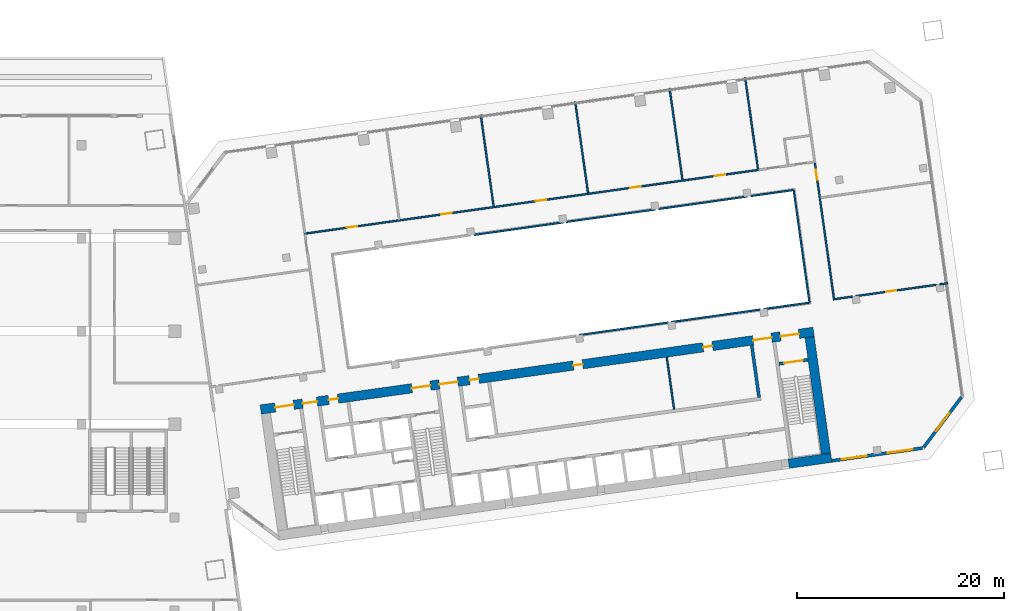
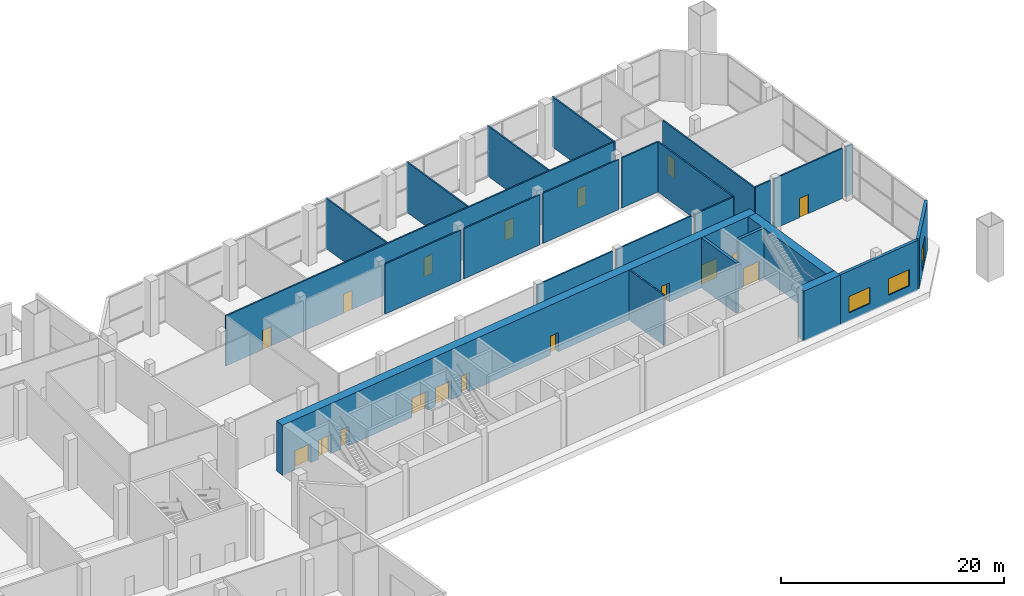
# One storey, part 18 of 24: 25 walls, 18 doors, 3 windows, 21 openings.
"""IFC4 building model written with IfcOpenShell, lengths in metres."""

from ifc_helpers import new_model, si_unit, direction, frame, frame_2d, origin, place, context, subcontext, project, spatial, rectangle, extrude, material, layer, layer_set, type_object, element, fill, save


model = new_model("IFC4")

# Units and contexts
model_context = context("Model", 3, precision=1e-05, world=origin(), true_north=direction((0.0, 1.0)))
body_context = subcontext(model_context, "Body", "Model", "MODEL_VIEW")
ifc_project = project(units=[si_unit("LENGTHUNIT", "METRE"), si_unit("AREAUNIT", "SQUARE_METRE"), si_unit("VOLUMEUNIT", "CUBIC_METRE"), si_unit("PLANEANGLEUNIT", "RADIAN"), si_unit("MASSUNIT", "GRAM", prefix="KILO")], contexts=[model_context])

# Site, building, storey
site_placement = place(None, origin())
site = spatial("IfcSite", under=ifc_project, at=site_placement, CompositionType="ELEMENT")
building_placement = place(site_placement, origin())
building = spatial("IfcBuilding", under=site, at=building_placement, Name="Mirante Cascada Hotel Towers", CompositionType="ELEMENT")
storey_placement = place(building_placement, frame((0.0, 0.0, 17.5)))
storey = spatial("IfcBuildingStorey", under=building, at=storey_placement, Name="L02", CompositionType="ELEMENT", Elevation=17.5)

# Walls
ifc_material_1 = material(Name="Masonry block", Category="masonry")
ifc_layer_1 = layer(ifc_material_1, 0.15)
ifc_layer_set_1 = layer_set([ifc_layer_1], Name="Core room partition 150 block EI 30")
wall_type_1 = type_object("IfcWallType", Name="Core room partition 150 block EI 30", PredefinedType="PARTITIONING", material=ifc_layer_set_1)
wall_1_placement = place(storey_placement, frame((75.3131, -7.5476, 0.0), z_axis=(0.0, 0.0, 1.0), x_axis=(-0.1391782, 0.9902673, 0.0)))
element("IfcWall", 1, at=wall_1_placement, inside=storey, type_object=wall_type_1, Name="Core wall partition T2 L02 5", PredefinedType="PARTITIONING", context=body_context, shape_type="SweptSolid", body=[
    extrude(rectangle(XDim=5.0999, YDim=0.15, at=frame_2d((2.55, 0.0))), origin(), (0.0, 0.0, 1.0), 5.5),
])
ifc_material_2 = material(Name="Masonry block", Category="masonry")
ifc_layer_2 = layer(ifc_material_2, 0.15)
ifc_layer_set_2 = layer_set([ifc_layer_2], Name="Corridor wall 150 block")
wall_type_2 = type_object("IfcWallType", Name="Corridor wall 150 block", PredefinedType="PARTITIONING", material=ifc_layer_set_2)
wall_2_placement = place(storey_placement, frame((86.8771, 13.638, 0.0), z_axis=(0.0, 0.0, 1.0), x_axis=(0.1391764, -0.9902676, 0.0)))
element("IfcWall", 2, at=wall_2_placement, inside=storey, type_object=wall_type_2, Name="Corridor wall T2 L02", PredefinedType="PARTITIONING", context=body_context, shape_type="SweptSolid", body=[
    extrude(rectangle(XDim=10.9401, YDim=0.15, at=frame_2d((5.47, 0.0))), origin(), (0.0, 0.0, 1.0), 5.5),
])

# Wall, opening, door
wall_3_placement = place(storey_placement, frame((88.926, 16.3041, 0.0), z_axis=(0.0, 0.0, 1.0), x_axis=(0.1391789, -0.9902673, 0.0)))
wall_3 = element("IfcWall", 3, at=wall_3_placement, inside=storey, type_object=wall_type_2, Name="Corridor wall T2 L02", PredefinedType="PARTITIONING", context=body_context, shape_type="SweptSolid", body=[
    extrude(rectangle(XDim=13.4, YDim=0.15, at=frame_2d((6.7, 0.0))), origin(), (0.0, 0.0, 1.0), 5.5),
])
opening_1_placement = place(wall_3_placement, frame((0.6675, 0.0, 0.0)))
opening_1 = element("IfcOpeningElement", 4, at=opening_1_placement, cuts=wall_3, Name="Opening DP2-L02-04", PredefinedType="OPENING", context=body_context, shape_type="SweptSolid", body=[
    extrude(rectangle(XDim=1.0, YDim=2.1, at=frame_2d((0.5, 1.05))), frame((0.0, 0.075, 0.0), z_axis=(0.0, -1.0, 0.0), x_axis=(1.0, 0.0, 0.0)), (0.0, 0.0, 1.0), 0.15),
])
ifc_material_3 = material(Name="Timber door leaf", Category="wood")
door_type_1 = type_object("IfcDoorType", Name="Single door 1000x2100", OperationType="NOTDEFINED", PredefinedType="DOOR", material=ifc_material_3)
door_1_placement = place(opening_1_placement, origin())
door_1 = element("IfcDoor", 5, at=door_1_placement, inside=storey, type_object=door_type_1, Name="Door DP2-L02-04", OperationType="SINGLE_SWING_RIGHT", OverallHeight=2.1, OverallWidth=1.0, PredefinedType="DOOR", context=body_context, shape_type="SweptSolid", body=[
    extrude(rectangle(XDim=1.0, YDim=2.1, at=frame_2d((0.5, 1.05))), frame((0.0, 0.025, 0.0), z_axis=(0.0, -1.0, 0.0), x_axis=(1.0, 0.0, 0.0)), (0.0, 0.0, 1.0), 0.05),
])
fill(opening_1, door_1)

# Wall
wall_4_placement = place(storey_placement, frame((90.8449, 3.1178, 0.0), z_axis=(0.0, 0.0, 1.0), x_axis=(0.9902659, 0.1391884, 0.0)))
element("IfcWall", 6, at=wall_4_placement, inside=storey, type_object=wall_type_2, Name="Corridor wall T2 L02", PredefinedType="PARTITIONING", context=body_context, shape_type="SweptSolid", body=[
    extrude(rectangle(XDim=1.7307, YDim=0.15, at=frame_2d((0.8654, 0.0))), origin(), (0.0, 0.0, 1.0), 5.5),
])

# Wall, openings, doors
wall_5_placement = place(storey_placement, frame((39.526, 9.4371, 0.0), z_axis=(0.0, 0.0, 1.0), x_axis=(0.9902681, 0.1391729, 0.0)))
wall_5 = element("IfcWall", 7, at=wall_5_placement, inside=storey, type_object=wall_type_2, Name="Corridor wall T2 L02", PredefinedType="PARTITIONING", context=body_context, shape_type="SweptSolid", body=[
    extrude(rectangle(XDim=44.2766, YDim=0.15, at=frame_2d((22.1383, 0.0))), origin(), (0.0, 0.0, 1.0), 5.5),
])
opening_2_placement = place(wall_5_placement, frame((4.1861, 0.0, 0.0)))
opening_2 = element("IfcOpeningElement", 8, at=opening_2_placement, cuts=wall_5, Name="Opening DP2-L02-05", PredefinedType="OPENING", context=body_context, shape_type="SweptSolid", body=[
    extrude(rectangle(XDim=1.0, YDim=2.1, at=frame_2d((0.5, 1.05))), frame((0.0, 0.075, 0.0), z_axis=(0.0, -1.0, 0.0), x_axis=(1.0, 0.0, 0.0)), (0.0, 0.0, 1.0), 0.15),
])
opening_3_placement = place(wall_5_placement, frame((13.4083, 0.0, 0.0)))
opening_3 = element("IfcOpeningElement", 9, at=opening_3_placement, cuts=wall_5, Name="Opening DP2-L02-06", PredefinedType="OPENING", context=body_context, shape_type="SweptSolid", body=[
    extrude(rectangle(XDim=1.0, YDim=2.1, at=frame_2d((0.5, 1.05))), frame((0.0, 0.075, 0.0), z_axis=(0.0, -1.0, 0.0), x_axis=(1.0, 0.0, 0.0)), (0.0, 0.0, 1.0), 0.15),
])
opening_4_placement = place(wall_5_placement, frame((22.6305, 0.0, 0.0)))
opening_4 = element("IfcOpeningElement", 10, at=opening_4_placement, cuts=wall_5, Name="Opening DP2-L02-07", PredefinedType="OPENING", context=body_context, shape_type="SweptSolid", body=[
    extrude(rectangle(XDim=1.0, YDim=2.1, at=frame_2d((0.5, 1.05))), frame((0.0, 0.075, 0.0), z_axis=(0.0, -1.0, 0.0), x_axis=(1.0, 0.0, 0.0)), (0.0, 0.0, 1.0), 0.15),
])
opening_5_placement = place(wall_5_placement, frame((31.8527, 0.0, 0.0)))
opening_5 = element("IfcOpeningElement", 11, at=opening_5_placement, cuts=wall_5, Name="Opening DP2-L02-08", PredefinedType="OPENING", context=body_context, shape_type="SweptSolid", body=[
    extrude(rectangle(XDim=1.0, YDim=2.1, at=frame_2d((0.5, 1.05))), frame((0.0, 0.075, 0.0), z_axis=(0.0, -1.0, 0.0), x_axis=(1.0, 0.0, 0.0)), (0.0, 0.0, 1.0), 0.15),
])
opening_6_placement = place(wall_5_placement, frame((40.1202, 0.0, 0.0)))
opening_6 = element("IfcOpeningElement", 12, at=opening_6_placement, cuts=wall_5, Name="Opening DP2-L02-09", PredefinedType="OPENING", context=body_context, shape_type="SweptSolid", body=[
    extrude(rectangle(XDim=1.0, YDim=2.1, at=frame_2d((0.5, 1.05))), frame((0.0, 0.075, 0.0), z_axis=(0.0, -1.0, 0.0), x_axis=(1.0, 0.0, 0.0)), (0.0, 0.0, 1.0), 0.15),
])
door_2_placement = place(opening_2_placement, frame((1.0, 0.0, 0.0), z_axis=(0.0, 0.0, 1.0), x_axis=(-1.0, 0.0, 0.0)))
door_2 = element("IfcDoor", 13, at=door_2_placement, inside=storey, type_object=door_type_1, Name="Door DP2-L02-05", OperationType="SINGLE_SWING_LEFT", OverallHeight=2.1, OverallWidth=1.0, PredefinedType="DOOR", context=body_context, shape_type="SweptSolid", body=[
    extrude(rectangle(XDim=1.0, YDim=2.1, at=frame_2d((0.5, 1.05))), frame((0.0, 0.025, 0.0), z_axis=(0.0, -1.0, 0.0), x_axis=(1.0, 0.0, 0.0)), (0.0, 0.0, 1.0), 0.05),
])
fill(opening_2, door_2)
door_3_placement = place(opening_3_placement, origin())
door_3 = element("IfcDoor", 14, at=door_3_placement, inside=storey, type_object=door_type_1, Name="Door DP2-L02-06", OperationType="SINGLE_SWING_RIGHT", OverallHeight=2.1, OverallWidth=1.0, PredefinedType="DOOR", context=body_context, shape_type="SweptSolid", body=[
    extrude(rectangle(XDim=1.0, YDim=2.1, at=frame_2d((0.5, 1.05))), frame((0.0, 0.025, 0.0), z_axis=(0.0, -1.0, 0.0), x_axis=(1.0, 0.0, 0.0)), (0.0, 0.0, 1.0), 0.05),
])
fill(opening_3, door_3)
door_4_placement = place(opening_4_placement, origin())
door_4 = element("IfcDoor", 15, at=door_4_placement, inside=storey, type_object=door_type_1, Name="Door DP2-L02-07", OperationType="SINGLE_SWING_LEFT", OverallHeight=2.1, OverallWidth=1.0, PredefinedType="DOOR", context=body_context, shape_type="SweptSolid", body=[
    extrude(rectangle(XDim=1.0, YDim=2.1, at=frame_2d((0.5, 1.05))), frame((0.0, 0.025, 0.0), z_axis=(0.0, -1.0, 0.0), x_axis=(1.0, 0.0, 0.0)), (0.0, 0.0, 1.0), 0.05),
])
fill(opening_4, door_4)
door_5_placement = place(opening_5_placement, frame((1.0, 0.0, 0.0), z_axis=(0.0, 0.0, 1.0), x_axis=(-1.0, 0.0, 0.0)))
door_5 = element("IfcDoor", 16, at=door_5_placement, inside=storey, type_object=door_type_1, Name="Door DP2-L02-08", OperationType="SINGLE_SWING_RIGHT", OverallHeight=2.1, OverallWidth=1.0, PredefinedType="DOOR", context=body_context, shape_type="SweptSolid", body=[
    extrude(rectangle(XDim=1.0, YDim=2.1, at=frame_2d((0.5, 1.05))), frame((0.0, 0.025, 0.0), z_axis=(0.0, -1.0, 0.0), x_axis=(1.0, 0.0, 0.0)), (0.0, 0.0, 1.0), 0.05),
])
fill(opening_5, door_5)
door_6_placement = place(opening_6_placement, origin())
door_6 = element("IfcDoor", 17, at=door_6_placement, inside=storey, type_object=door_type_1, Name="Door DP2-L02-09", OperationType="SINGLE_SWING_LEFT", OverallHeight=2.1, OverallWidth=1.0, PredefinedType="DOOR", context=body_context, shape_type="SweptSolid", body=[
    extrude(rectangle(XDim=1.0, YDim=2.1, at=frame_2d((0.5, 1.05))), frame((0.0, 0.025, 0.0), z_axis=(0.0, -1.0, 0.0), x_axis=(1.0, 0.0, 0.0)), (0.0, 0.0, 1.0), 0.05),
])
fill(opening_6, door_6)

# Walls
for number, where, z_axis, x_axis, name in (
    (18, (66.1471, -0.3533, 0.0), (0.0, 0.0, 1.0), (0.9902682, 0.139172, 0.0), "Corridor wall T2 L02"),
    (19, (75.0595, 0.8993, 0.0), (0.0, 0.0, 1.0), (0.9902682, 0.139172, 0.0), "Corridor wall T2 L02"),
):
    element("IfcWall", number, at=place(storey_placement, frame(where, z_axis=z_axis, x_axis=x_axis)), inside=storey, type_object=wall_type_2, Name=name, PredefinedType="PARTITIONING", context=body_context, shape_type="SweptSolid", body=[
        extrude(rectangle(XDim=8.6713, YDim=0.15, at=frame_2d((4.3356, 0.0))), origin(), (0.0, 0.0, 1.0), 5.5),
    ])
wall_6_placement = place(storey_placement, frame((83.9719, 2.1518, 0.0), z_axis=(0.0, 0.0, 1.0), x_axis=(0.9902682, 0.1391725, 0.0)))
element("IfcWall", 20, at=wall_6_placement, inside=storey, type_object=wall_type_2, Name="Corridor wall T2 L02", PredefinedType="PARTITIONING", context=body_context, shape_type="SweptSolid", body=[
    extrude(rectangle(XDim=4.4456, YDim=0.15, at=frame_2d((2.2228, 0.0))), origin(), (0.0, 0.0, 1.0), 5.5),
])

# Wall, opening, door
wall_7_placement = place(storey_placement, frame((92.8842, 3.4044, 0.0), z_axis=(0.0, 0.0, 1.0), x_axis=(0.9902679, 0.1391746, 0.0)))
wall_7 = element("IfcWall", 21, at=wall_7_placement, inside=storey, type_object=wall_type_2, Name="Corridor wall T2 L02", PredefinedType="PARTITIONING", context=body_context, shape_type="SweptSolid", body=[
    extrude(rectangle(XDim=7.8714, YDim=0.15, at=frame_2d((3.9357, 0.0))), origin(), (0.0, 0.0, 1.0), 5.5),
])
opening_7_placement = place(wall_7_placement, frame((2.9582, 0.0, 0.0)))
opening_7 = element("IfcOpeningElement", 22, at=opening_7_placement, cuts=wall_7, Name="Opening DP2-L02-03", PredefinedType="OPENING", context=body_context, shape_type="SweptSolid", body=[
    extrude(rectangle(XDim=1.0, YDim=2.1, at=frame_2d((0.5, 1.05))), frame((0.0, 0.075, 0.0), z_axis=(0.0, -1.0, 0.0), x_axis=(1.0, 0.0, 0.0)), (0.0, 0.0, 1.0), 0.15),
])
door_7_placement = place(opening_7_placement, frame((1.0, 0.0, 0.0), z_axis=(0.0, 0.0, 1.0), x_axis=(-1.0, 0.0, 0.0)))
door_7 = element("IfcDoor", 23, at=door_7_placement, inside=storey, type_object=door_type_1, Name="Door DP2-L02-03", OperationType="SINGLE_SWING_LEFT", OverallHeight=2.1, OverallWidth=1.0, PredefinedType="DOOR", context=body_context, shape_type="SweptSolid", body=[
    extrude(rectangle(XDim=1.0, YDim=2.1, at=frame_2d((0.5, 1.05))), frame((0.0, 0.025, 0.0), z_axis=(0.0, -1.0, 0.0), x_axis=(1.0, 0.0, 0.0)), (0.0, 0.0, 1.0), 0.05),
])
fill(opening_7, door_7)

# Walls
wall_8_placement = place(storey_placement, frame((101.0045, 4.5456, 0.0), z_axis=(0.0, 0.0, 1.0), x_axis=(0.9902566, 0.1392548, 0.0)))
element("IfcWall", 24, at=wall_8_placement, inside=storey, type_object=wall_type_2, Name="Corridor wall T2 L02", PredefinedType="PARTITIONING", context=body_context, shape_type="SweptSolid", body=[
    extrude(rectangle(XDim=0.7756, YDim=0.15, at=frame_2d((0.3878, 0.0))), origin(), (0.0, 0.0, 1.0), 5.5),
])
for number, where, z_axis, x_axis, name in (
    (25, (55.9808, 9.3261, 0.0), (0.0, 0.0, 1.0), (0.9902682, 0.139172, 0.0), "Corridor wall T2 L02"),
    (26, (64.8932, 10.5786, 0.0), (0.0, 0.0, 1.0), (0.9902682, 0.139172, 0.0), "Corridor wall T2 L02"),
    (27, (73.8056, 11.8312, 0.0), (0.0, 0.0, 1.0), (0.9902682, 0.139172, 0.0), "Corridor wall T2 L02"),
):
    element("IfcWall", number, at=place(storey_placement, frame(where, z_axis=z_axis, x_axis=x_axis)), inside=storey, type_object=wall_type_2, Name=name, PredefinedType="PARTITIONING", context=body_context, shape_type="SweptSolid", body=[
        extrude(rectangle(XDim=8.6713, YDim=0.15, at=frame_2d((4.3356, 0.0))), origin(), (0.0, 0.0, 1.0), 5.5),
    ])
wall_9_placement = place(storey_placement, frame((82.718, 13.0837, 0.0), z_axis=(0.0, 0.0, 1.0), x_axis=(0.9902672, 0.1391794, 0.0)))
element("IfcWall", 28, at=wall_9_placement, inside=storey, type_object=wall_type_2, Name="Corridor wall T2 L02", PredefinedType="PARTITIONING", context=body_context, shape_type="SweptSolid", body=[
    extrude(rectangle(XDim=4.1658, YDim=0.15, at=frame_2d((2.0829, 0.0))), origin(), (0.0, 0.0, 1.0), 5.5),
])
ifc_material_4 = material(Name="Masonry block", Category="masonry")
ifc_layer_3 = layer(ifc_material_4, 0.15)
ifc_layer_set_3 = layer_set([ifc_layer_3], Name="Partition 150 block")
wall_type_3 = type_object("IfcWallType", Name="Partition 150 block", PredefinedType="PARTITIONING", material=ifc_layer_set_3)
for number, where, z_axis, x_axis, name in (
    (29, (56.6126, 20.9269, 0.0), (0.0, 0.0, 1.0), (0.139181, -0.990267, 0.0), "Partition T2 L02"),
    (30, (65.7451, 22.2104, 0.0), (0.0, 0.0, 1.0), (0.13917, -0.9902685, 0.0), "Partition T2 L02"),
    (31, (74.8776, 23.4939, 0.0), (0.0, 0.0, 1.0), (0.13917, -0.9902685, 0.0), "Partition T2 L02"),
):
    element("IfcWall", number, at=place(storey_placement, frame(where, z_axis=z_axis, x_axis=x_axis)), inside=storey, type_object=wall_type_3, Name=name, PredefinedType="PARTITIONING", context=body_context, shape_type="SweptSolid", body=[
        extrude(rectangle(XDim=8.9251, YDim=0.15, at=frame_2d((4.4626, 0.0))), origin(), (0.0, 0.0, 1.0), 5.5),
    ])

# Wall, openings, windows
ifc_material_5 = material(Name="Precast concrete C40/50", Category="concrete")
ifc_layer_4 = layer(ifc_material_5, 0.3)
ifc_layer_set_4 = layer_set([ifc_layer_4], Name="Precast concrete C40/50 cladding wall 300")
wall_type_4 = type_object("IfcWallType", Name="Precast concrete C40/50 cladding wall 300", PredefinedType="STANDARD", material=ifc_layer_set_4)
wall_10_placement = place(storey_placement, frame((90.5541, -12.5249, 0.0), z_axis=(0.0, 0.0, 1.0), x_axis=(0.9902676, 0.1391765, 0.0)))
wall_10 = element("IfcWall", 32, at=wall_10_placement, inside=storey, type_object=wall_type_4, Name="Rear cladding wall T2 L02 1", PredefinedType="STANDARD", context=body_context, shape_type="SweptSolid", body=[
    extrude(rectangle(XDim=8.8758, YDim=0.3, at=frame_2d((4.4379, 0.0))), origin(), (0.0, 0.0, 1.0), 5.5),
])
opening_8_placement = place(wall_10_placement, frame((1.0012, 0.0, 0.9)))
opening_8 = element("IfcOpeningElement", 33, at=opening_8_placement, cuts=wall_10, Name="Opening W2-02-01", PredefinedType="OPENING", context=body_context, shape_type="SweptSolid", body=[
    extrude(rectangle(XDim=2.4, YDim=1.8, at=frame_2d((1.2, 0.9))), frame((0.0, 0.15, 0.0), z_axis=(0.0, -1.0, 0.0), x_axis=(1.0, 0.0, 0.0)), (0.0, 0.0, 1.0), 0.3),
])
opening_9_placement = place(wall_10_placement, frame((5.4923, 0.0, 0.9)))
opening_9 = element("IfcOpeningElement", 34, at=opening_9_placement, cuts=wall_10, Name="Opening W2-02-02", PredefinedType="OPENING", context=body_context, shape_type="SweptSolid", body=[
    extrude(rectangle(XDim=2.4, YDim=1.8, at=frame_2d((1.2, 0.9))), frame((0.0, 0.15, 0.0), z_axis=(0.0, -1.0, 0.0), x_axis=(1.0, 0.0, 0.0)), (0.0, 0.0, 1.0), 0.3),
])
ifc_material_6 = material(Name="Aluminium frame with clear double glazing", Category="aluminium")
window_type_1 = type_object("IfcWindowType", Name="Punched window 2400x1800", PartitioningType="DOUBLE_PANEL_VERTICAL", PredefinedType="WINDOW", material=ifc_material_6)
window_1_placement = place(opening_8_placement, origin())
window_1 = element("IfcWindow", 35, at=window_1_placement, inside=storey, type_object=window_type_1, Name="Window W2-02-01", OverallHeight=1.8, OverallWidth=2.4, PartitioningType="SINGLE_PANEL", PredefinedType="WINDOW", context=body_context, shape_type="SweptSolid", body=[
    extrude(rectangle(XDim=2.4, YDim=1.8, at=frame_2d((1.2, 0.9))), frame((0.0, 0.03, 0.0), z_axis=(0.0, -1.0, 0.0), x_axis=(1.0, 0.0, 0.0)), (0.0, 0.0, 1.0), 0.06),
])
fill(opening_8, window_1)
window_2_placement = place(opening_9_placement, origin())
window_2 = element("IfcWindow", 36, at=window_2_placement, inside=storey, type_object=window_type_1, Name="Window W2-02-02", OverallHeight=1.8, OverallWidth=2.4, PartitioningType="SINGLE_PANEL", PredefinedType="WINDOW", context=body_context, shape_type="SweptSolid", body=[
    extrude(rectangle(XDim=2.4, YDim=1.8, at=frame_2d((1.2, 0.9))), frame((0.0, 0.03, 0.0), z_axis=(0.0, -1.0, 0.0), x_axis=(1.0, 0.0, 0.0)), (0.0, 0.0, 1.0), 0.06),
])
fill(opening_9, window_2)

# Wall, opening, window
wall_11_placement = place(storey_placement, frame((99.4424, -11.2313, 0.0), z_axis=(0.0, 0.0, 1.0), x_axis=(0.6018194, 0.7986322, 0.0)))
wall_11 = element("IfcWall", 37, at=wall_11_placement, inside=storey, type_object=wall_type_4, Name="Corner cladding wall T2 L02 rear outer", PredefinedType="STANDARD", context=body_context, shape_type="SweptSolid", body=[
    extrude(rectangle(XDim=6.1155, YDim=0.3, at=frame_2d((3.0578, 0.0))), origin(), (0.0, 0.0, 1.0), 5.5),
])
opening_10_placement = place(wall_11_placement, frame((1.9576, 0.0, 0.6)))
opening_10 = element("IfcOpeningElement", 38, at=opening_10_placement, cuts=wall_11, Name="Opening W2-02-03", PredefinedType="OPENING", context=body_context, shape_type="SweptSolid", body=[
    extrude(rectangle(XDim=2.2, YDim=2.4, at=frame_2d((1.1, 1.2))), frame((0.0, 0.15, 0.0), z_axis=(0.0, -1.0, 0.0), x_axis=(1.0, 0.0, 0.0)), (0.0, 0.0, 1.0), 0.3),
])
ifc_material_7 = material(Name="Aluminium frame with clear double glazing", Category="aluminium")
window_type_2 = type_object("IfcWindowType", Name="Corner suite window 2200x2400", PartitioningType="DOUBLE_PANEL_VERTICAL", PredefinedType="WINDOW", material=ifc_material_7)
window_3_placement = place(opening_10_placement, origin())
window_3 = element("IfcWindow", 39, at=window_3_placement, inside=storey, type_object=window_type_2, Name="Window W2-02-03", OverallHeight=2.4, OverallWidth=2.2, PartitioningType="SINGLE_PANEL", PredefinedType="WINDOW", context=body_context, shape_type="SweptSolid", body=[
    extrude(rectangle(XDim=2.2, YDim=2.4, at=frame_2d((1.1, 1.2))), frame((0.0, 0.03, 0.0), z_axis=(0.0, -1.0, 0.0), x_axis=(1.0, 0.0, 0.0)), (0.0, 0.0, 1.0), 0.06),
])
fill(opening_10, window_3)

# Wall, opening, door
ifc_material_8 = material(Name="Concrete C50/60", Category="concrete")
ifc_layer_5 = layer(ifc_material_8, 0.3)
ifc_layer_set_5 = layer_set([ifc_layer_5], Name="RC core wall 300 C50/60")
wall_type_5 = type_object("IfcWallType", Name="RC core wall 300 C50/60", PredefinedType="SHEAR", material=ifc_layer_set_5)
wall_12_placement = place(storey_placement, frame((85.4489, -3.1441, 0.0), z_axis=(0.0, 0.0, 1.0), x_axis=(0.9902697, 0.1391613, 0.0)))
wall_12 = element("IfcWall", 40, at=wall_12_placement, inside=storey, type_object=wall_type_5, Name="Core wall T2:L02:11", PredefinedType="SHEAR", context=body_context, shape_type="SweptSolid", body=[
    extrude(rectangle(XDim=2.8499, YDim=0.3, at=frame_2d((1.425, 0.0))), origin(), (0.0, 0.0, 1.0), 5.5),
])
opening_11_placement = place(wall_12_placement, frame((0.525, 0.0, 0.0)))
opening_11 = element("IfcOpeningElement", 41, at=opening_11_placement, cuts=wall_12, Name="Opening D2-02-C20", PredefinedType="OPENING", context=body_context, shape_type="SweptSolid", body=[
    extrude(rectangle(XDim=1.8, YDim=2.1, at=frame_2d((0.9, 1.05))), frame((0.0, 0.15, 0.0), z_axis=(0.0, -1.0, 0.0), x_axis=(1.0, 0.0, 0.0)), (0.0, 0.0, 1.0), 0.3),
])
ifc_material_9 = material(Name="Hollow metal fire door leaf")
door_type_2 = type_object("IfcDoorType", Name="Double fire door 1800x2100 FD60", OperationType="DOUBLE_DOOR_SINGLE_SWING", PredefinedType="DOOR", material=ifc_material_9)
door_8_placement = place(opening_11_placement, frame((1.8, 0.0, 0.0), z_axis=(0.0, 0.0, 1.0), x_axis=(-1.0, 0.0, 0.0)))
door_8 = element("IfcDoor", 42, at=door_8_placement, inside=storey, type_object=door_type_2, Name="Stair door T2 L02 20", OperationType="DOUBLE_DOOR_SINGLE_SWING", OverallHeight=2.1, OverallWidth=1.8, PredefinedType="DOOR", context=body_context, shape_type="SweptSolid", body=[
    extrude(rectangle(XDim=0.895, YDim=2.1, at=frame_2d((0.4475, 1.05))), frame((0.0, 0.025, 0.0), z_axis=(0.0, -1.0, 0.0), x_axis=(1.0, 0.0, 0.0)), (0.0, 0.0, 1.0), 0.05),
    extrude(rectangle(XDim=0.895, YDim=2.1, at=frame_2d((1.3525, 1.05))), frame((0.0, 0.025, 0.0), z_axis=(0.0, -1.0, 0.0), x_axis=(1.0, 0.0, 0.0)), (0.0, 0.0, 1.0), 0.05),
])
fill(opening_11, door_8)

# Walls
wall_13_placement = place(storey_placement, frame((83.5323, -6.3925, 0.0), z_axis=(0.0, 0.0, 1.0), x_axis=(-0.1391755, 0.9902677, 0.0)))
element("IfcWall", 43, at=wall_13_placement, inside=storey, type_object=wall_type_5, Name="Core wall T2:L02:36", PredefinedType="SHEAR", context=body_context, shape_type="SweptSolid", body=[
    extrude(rectangle(XDim=5.1, YDim=0.3, at=frame_2d((2.55, 0.0))), origin(), (0.0, 0.0, 1.0), 5.5),
])
ifc_material_10 = material(Name="Concrete C50/60", Category="concrete")
ifc_layer_6 = layer(ifc_material_10, 0.9)
ifc_layer_set_6 = layer_set([ifc_layer_6], Name="RC core wall 900 C50/60")
wall_type_6 = type_object("IfcWallType", Name="RC core wall 900 C50/60", PredefinedType="SHEAR", material=ifc_layer_set_6)
wall_14_placement = place(storey_placement, frame((86.4027, -12.8054, 0.0), z_axis=(0.0, 0.0, 1.0), x_axis=(0.990267, 0.139181, 0.0)))
element("IfcWall", 44, at=wall_14_placement, inside=storey, type_object=wall_type_6, Name="Core wall T2:L02:1.7", PredefinedType="SHEAR", context=body_context, shape_type="SweptSolid", body=[
    extrude(rectangle(XDim=4.15, YDim=0.9, at=frame_2d((2.075, 0.0))), origin(), (0.0, 0.0, 1.0), 5.5),
])

# Wall, openings, doors
wall_15_placement = place(storey_placement, frame((35.326, -7.5629, 0.0), z_axis=(0.0, 0.0, 1.0), x_axis=(0.9902679, 0.139174, 0.0)))
wall_15 = element("IfcWall", 45, at=wall_15_placement, inside=storey, type_object=wall_type_6, Name="Core wall T2:L02:2", PredefinedType="SHEAR", context=body_context, shape_type="SweptSolid", body=[
    extrude(rectangle(XDim=54.0, YDim=0.9, at=frame_2d((27.0, 0.0))), origin(), (0.0, 0.0, 1.0), 5.5),
])
opening_12_placement = place(wall_15_placement, frame((1.425, 0.0, 0.0)))
opening_12 = element("IfcOpeningElement", 46, at=opening_12_placement, cuts=wall_15, Name="Opening D2-02-C17", PredefinedType="OPENING", context=body_context, shape_type="SweptSolid", body=[
    extrude(rectangle(XDim=1.8, YDim=2.1, at=frame_2d((0.9, 1.05))), frame((0.0, 0.45, 0.0), z_axis=(0.0, -1.0, 0.0), x_axis=(1.0, 0.0, 0.0)), (0.0, 0.0, 1.0), 0.9),
])
opening_13_placement = place(wall_15_placement, frame((14.775, 0.0, 0.0)))
opening_13 = element("IfcOpeningElement", 47, at=opening_13_placement, cuts=wall_15, Name="Opening D2-02-C19", PredefinedType="OPENING", context=body_context, shape_type="SweptSolid", body=[
    extrude(rectangle(XDim=1.8, YDim=2.1, at=frame_2d((0.9, 1.05))), frame((0.0, 0.45, 0.0), z_axis=(0.0, -1.0, 0.0), x_axis=(1.0, 0.0, 0.0)), (0.0, 0.0, 1.0), 0.9),
])
opening_14_placement = place(wall_15_placement, frame((50.775, 0.0, 0.0)))
opening_14 = element("IfcOpeningElement", 48, at=opening_14_placement, cuts=wall_15, Name="Opening D2-02-C21", PredefinedType="OPENING", context=body_context, shape_type="SweptSolid", body=[
    extrude(rectangle(XDim=1.8, YDim=2.1, at=frame_2d((0.9, 1.05))), frame((0.0, 0.45, 0.0), z_axis=(0.0, -1.0, 0.0), x_axis=(1.0, 0.0, 0.0)), (0.0, 0.0, 1.0), 0.9),
])
opening_15_placement = place(wall_15_placement, frame((4.1, 0.0, 0.0)))
opening_15 = element("IfcOpeningElement", 49, at=opening_15_placement, cuts=wall_15, Name="Opening D2-02-C22", PredefinedType="OPENING", context=body_context, shape_type="SweptSolid", body=[
    extrude(rectangle(XDim=1.4, YDim=2.1, at=frame_2d((0.7, 1.05))), frame((0.0, 0.45, 0.0), z_axis=(0.0, -1.0, 0.0), x_axis=(1.0, 0.0, 0.0)), (0.0, 0.0, 1.0), 0.9),
])
opening_16_placement = place(wall_15_placement, frame((17.45, 0.0, 0.0)))
opening_16 = element("IfcOpeningElement", 50, at=opening_16_placement, cuts=wall_15, Name="Opening D2-02-C23", PredefinedType="OPENING", context=body_context, shape_type="SweptSolid", body=[
    extrude(rectangle(XDim=1.8, YDim=2.1, at=frame_2d((0.9, 1.05))), frame((0.0, 0.45, 0.0), z_axis=(0.0, -1.0, 0.0), x_axis=(1.0, 0.0, 0.0)), (0.0, 0.0, 1.0), 0.9),
])
opening_17_placement = place(wall_15_placement, frame((48.1, 0.0, 0.0)))
opening_17 = element("IfcOpeningElement", 51, at=opening_17_placement, cuts=wall_15, Name="Opening D2-02-C24", PredefinedType="OPENING", context=body_context, shape_type="SweptSolid", body=[
    extrude(rectangle(XDim=1.8, YDim=2.1, at=frame_2d((0.9, 1.05))), frame((0.0, 0.45, 0.0), z_axis=(0.0, -1.0, 0.0), x_axis=(1.0, 0.0, 0.0)), (0.0, 0.0, 1.0), 0.9),
])
opening_18_placement = place(wall_15_placement, frame((6.65, 0.0, 0.0)))
opening_18 = element("IfcOpeningElement", 52, at=opening_18_placement, cuts=wall_15, Name="Opening D2-02-C27", PredefinedType="OPENING", context=body_context, shape_type="SweptSolid", body=[
    extrude(rectangle(XDim=0.9, YDim=2.1, at=frame_2d((0.45, 1.05))), frame((0.0, 0.45, 0.0), z_axis=(0.0, -1.0, 0.0), x_axis=(1.0, 0.0, 0.0)), (0.0, 0.0, 1.0), 0.9),
])
opening_19_placement = place(wall_15_placement, frame((20.4, 0.0, 0.0)))
opening_19 = element("IfcOpeningElement", 53, at=opening_19_placement, cuts=wall_15, Name="Opening D2-02-C30", PredefinedType="OPENING", context=body_context, shape_type="SweptSolid", body=[
    extrude(rectangle(XDim=0.9, YDim=2.1, at=frame_2d((0.45, 1.05))), frame((0.0, 0.45, 0.0), z_axis=(0.0, -1.0, 0.0), x_axis=(1.0, 0.0, 0.0)), (0.0, 0.0, 1.0), 0.9),
])
opening_20_placement = place(wall_15_placement, frame((30.55, 0.0, 0.0)))
opening_20 = element("IfcOpeningElement", 54, at=opening_20_placement, cuts=wall_15, Name="Opening D2-02-C31", PredefinedType="OPENING", context=body_context, shape_type="SweptSolid", body=[
    extrude(rectangle(XDim=0.9, YDim=2.1, at=frame_2d((0.45, 1.05))), frame((0.0, 0.45, 0.0), z_axis=(0.0, -1.0, 0.0), x_axis=(1.0, 0.0, 0.0)), (0.0, 0.0, 1.0), 0.9),
])
opening_21_placement = place(wall_15_placement, frame((43.225, 0.0, 0.0)))
opening_21 = element("IfcOpeningElement", 55, at=opening_21_placement, cuts=wall_15, Name="Opening D2-02-C32", PredefinedType="OPENING", context=body_context, shape_type="SweptSolid", body=[
    extrude(rectangle(XDim=0.9, YDim=2.1, at=frame_2d((0.45, 1.05))), frame((0.0, 0.45, 0.0), z_axis=(0.0, -1.0, 0.0), x_axis=(1.0, 0.0, 0.0)), (0.0, 0.0, 1.0), 0.9),
])
ifc_material_11 = material(Name="Hollow metal fire door leaf")
door_type_3 = type_object("IfcDoorType", Name="Double fire door 1400x2100 FD60", OperationType="DOUBLE_DOOR_SINGLE_SWING", PredefinedType="DOOR", material=ifc_material_11)
door_9_placement = place(opening_15_placement, origin())
door_9 = element("IfcDoor", 56, at=door_9_placement, inside=storey, type_object=door_type_3, Name="Exit door to gallery T2 L02 22", OperationType="DOUBLE_DOOR_SINGLE_SWING", OverallHeight=2.1, OverallWidth=1.4, PredefinedType="DOOR", context=body_context, shape_type="SweptSolid", body=[
    extrude(rectangle(XDim=0.695, YDim=2.1, at=frame_2d((0.3475, 1.05))), frame((0.0, 0.025, 0.0), z_axis=(0.0, -1.0, 0.0), x_axis=(1.0, 0.0, 0.0)), (0.0, 0.0, 1.0), 0.05),
    extrude(rectangle(XDim=0.695, YDim=2.1, at=frame_2d((1.0525, 1.05))), frame((0.0, 0.025, 0.0), z_axis=(0.0, -1.0, 0.0), x_axis=(1.0, 0.0, 0.0)), (0.0, 0.0, 1.0), 0.05),
])
fill(opening_15, door_9)
door_10_placement = place(opening_12_placement, frame((1.8, 0.0, 0.0), z_axis=(0.0, 0.0, 1.0), x_axis=(-1.0, 0.0, 0.0)))
door_10 = element("IfcDoor", 57, at=door_10_placement, inside=storey, type_object=door_type_2, Name="Exit door to gallery T2 L02 17", OperationType="DOUBLE_DOOR_SINGLE_SWING", OverallHeight=2.1, OverallWidth=1.8, PredefinedType="DOOR", context=body_context, shape_type="SweptSolid", body=[
    extrude(rectangle(XDim=0.895, YDim=2.1, at=frame_2d((0.4475, 1.05))), frame((0.0, 0.025, 0.0), z_axis=(0.0, -1.0, 0.0), x_axis=(1.0, 0.0, 0.0)), (0.0, 0.0, 1.0), 0.05),
    extrude(rectangle(XDim=0.895, YDim=2.1, at=frame_2d((1.3525, 1.05))), frame((0.0, 0.025, 0.0), z_axis=(0.0, -1.0, 0.0), x_axis=(1.0, 0.0, 0.0)), (0.0, 0.0, 1.0), 0.05),
])
fill(opening_12, door_10)
door_11_placement = place(opening_13_placement, frame((1.8, 0.0, 0.0), z_axis=(0.0, 0.0, 1.0), x_axis=(-1.0, 0.0, 0.0)))
door_11 = element("IfcDoor", 58, at=door_11_placement, inside=storey, type_object=door_type_2, Name="Exit door to gallery T2 L02 19", OperationType="DOUBLE_DOOR_SINGLE_SWING", OverallHeight=2.1, OverallWidth=1.8, PredefinedType="DOOR", context=body_context, shape_type="SweptSolid", body=[
    extrude(rectangle(XDim=0.895, YDim=2.1, at=frame_2d((0.4475, 1.05))), frame((0.0, 0.025, 0.0), z_axis=(0.0, -1.0, 0.0), x_axis=(1.0, 0.0, 0.0)), (0.0, 0.0, 1.0), 0.05),
    extrude(rectangle(XDim=0.895, YDim=2.1, at=frame_2d((1.3525, 1.05))), frame((0.0, 0.025, 0.0), z_axis=(0.0, -1.0, 0.0), x_axis=(1.0, 0.0, 0.0)), (0.0, 0.0, 1.0), 0.05),
])
fill(opening_13, door_11)
door_12_placement = place(opening_14_placement, frame((1.8, 0.0, 0.0), z_axis=(0.0, 0.0, 1.0), x_axis=(-1.0, 0.0, 0.0)))
door_12 = element("IfcDoor", 59, at=door_12_placement, inside=storey, type_object=door_type_2, Name="Exit door to gallery T2 L02 21", OperationType="DOUBLE_DOOR_SINGLE_SWING", OverallHeight=2.1, OverallWidth=1.8, PredefinedType="DOOR", context=body_context, shape_type="SweptSolid", body=[
    extrude(rectangle(XDim=0.895, YDim=2.1, at=frame_2d((0.4475, 1.05))), frame((0.0, 0.025, 0.0), z_axis=(0.0, -1.0, 0.0), x_axis=(1.0, 0.0, 0.0)), (0.0, 0.0, 1.0), 0.05),
    extrude(rectangle(XDim=0.895, YDim=2.1, at=frame_2d((1.3525, 1.05))), frame((0.0, 0.025, 0.0), z_axis=(0.0, -1.0, 0.0), x_axis=(1.0, 0.0, 0.0)), (0.0, 0.0, 1.0), 0.05),
])
fill(opening_14, door_12)
door_13_placement = place(opening_16_placement, origin())
door_13 = element("IfcDoor", 60, at=door_13_placement, inside=storey, type_object=door_type_2, Name="Exit door to gallery T2 L02 23", OperationType="DOUBLE_DOOR_SINGLE_SWING", OverallHeight=2.1, OverallWidth=1.8, PredefinedType="DOOR", context=body_context, shape_type="SweptSolid", body=[
    extrude(rectangle(XDim=0.895, YDim=2.1, at=frame_2d((0.4475, 1.05))), frame((0.0, 0.025, 0.0), z_axis=(0.0, -1.0, 0.0), x_axis=(1.0, 0.0, 0.0)), (0.0, 0.0, 1.0), 0.05),
    extrude(rectangle(XDim=0.895, YDim=2.1, at=frame_2d((1.3525, 1.05))), frame((0.0, 0.025, 0.0), z_axis=(0.0, -1.0, 0.0), x_axis=(1.0, 0.0, 0.0)), (0.0, 0.0, 1.0), 0.05),
])
fill(opening_16, door_13)
door_14_placement = place(opening_17_placement, origin())
door_14 = element("IfcDoor", 61, at=door_14_placement, inside=storey, type_object=door_type_2, Name="Exit door to gallery T2 L02 24", OperationType="DOUBLE_DOOR_SINGLE_SWING", OverallHeight=2.1, OverallWidth=1.8, PredefinedType="DOOR", context=body_context, shape_type="SweptSolid", body=[
    extrude(rectangle(XDim=0.895, YDim=2.1, at=frame_2d((0.4475, 1.05))), frame((0.0, 0.025, 0.0), z_axis=(0.0, -1.0, 0.0), x_axis=(1.0, 0.0, 0.0)), (0.0, 0.0, 1.0), 0.05),
    extrude(rectangle(XDim=0.895, YDim=2.1, at=frame_2d((1.3525, 1.05))), frame((0.0, 0.025, 0.0), z_axis=(0.0, -1.0, 0.0), x_axis=(1.0, 0.0, 0.0)), (0.0, 0.0, 1.0), 0.05),
])
fill(opening_17, door_14)
ifc_material_12 = material(Name="Hollow metal fire door leaf")
door_type_4 = type_object("IfcDoorType", Name="Fire door 900x2100 FD60", OperationType="NOTDEFINED", PredefinedType="DOOR", material=ifc_material_12)
door_15_placement = place(opening_18_placement, frame((0.9, 0.0, 0.0), z_axis=(0.0, 0.0, 1.0), x_axis=(-1.0, 0.0, 0.0)))
door_15 = element("IfcDoor", 62, at=door_15_placement, inside=storey, type_object=door_type_4, Name="Room door T2 L02 27", OperationType="SINGLE_SWING_LEFT", OverallHeight=2.1, OverallWidth=0.9, PredefinedType="DOOR", context=body_context, shape_type="SweptSolid", body=[
    extrude(rectangle(XDim=0.9, YDim=2.1, at=frame_2d((0.45, 1.05))), frame((0.0, 0.025, 0.0), z_axis=(0.0, -1.0, 0.0), x_axis=(1.0, 0.0, 0.0)), (0.0, 0.0, 1.0), 0.05),
])
fill(opening_18, door_15)
door_16_placement = place(opening_19_placement, frame((0.9, 0.0, 0.0), z_axis=(0.0, 0.0, 1.0), x_axis=(-1.0, 0.0, 0.0)))
door_16 = element("IfcDoor", 63, at=door_16_placement, inside=storey, type_object=door_type_4, Name="Room door T2 L02 30", OperationType="SINGLE_SWING_LEFT", OverallHeight=2.1, OverallWidth=0.9, PredefinedType="DOOR", context=body_context, shape_type="SweptSolid", body=[
    extrude(rectangle(XDim=0.9, YDim=2.1, at=frame_2d((0.45, 1.05))), frame((0.0, 0.025, 0.0), z_axis=(0.0, -1.0, 0.0), x_axis=(1.0, 0.0, 0.0)), (0.0, 0.0, 1.0), 0.05),
])
fill(opening_19, door_16)
door_17_placement = place(opening_20_placement, frame((0.9, 0.0, 0.0), z_axis=(0.0, 0.0, 1.0), x_axis=(-1.0, 0.0, 0.0)))
door_17 = element("IfcDoor", 64, at=door_17_placement, inside=storey, type_object=door_type_4, Name="Room door T2 L02 31", OperationType="SINGLE_SWING_RIGHT", OverallHeight=2.1, OverallWidth=0.9, PredefinedType="DOOR", context=body_context, shape_type="SweptSolid", body=[
    extrude(rectangle(XDim=0.9, YDim=2.1, at=frame_2d((0.45, 1.05))), frame((0.0, 0.025, 0.0), z_axis=(0.0, -1.0, 0.0), x_axis=(1.0, 0.0, 0.0)), (0.0, 0.0, 1.0), 0.05),
])
fill(opening_20, door_17)
door_18_placement = place(opening_21_placement, frame((0.9, 0.0, 0.0), z_axis=(0.0, 0.0, 1.0), x_axis=(-1.0, 0.0, 0.0)))
door_18 = element("IfcDoor", 65, at=door_18_placement, inside=storey, type_object=door_type_4, Name="Room door T2 L02 32", OperationType="SINGLE_SWING_RIGHT", OverallHeight=2.1, OverallWidth=0.9, PredefinedType="DOOR", context=body_context, shape_type="SweptSolid", body=[
    extrude(rectangle(XDim=0.9, YDim=2.1, at=frame_2d((0.45, 1.05))), frame((0.0, 0.025, 0.0), z_axis=(0.0, -1.0, 0.0), x_axis=(1.0, 0.0, 0.0)), (0.0, 0.0, 1.0), 0.05),
])
fill(opening_21, door_18)

# Walls
wall_16_placement = place(storey_placement, frame((90.0041, -11.8449, 0.0), z_axis=(0.0, 0.0, 1.0), x_axis=(-0.1391749, 0.9902678, 0.0)))
element("IfcWall", 66, at=wall_16_placement, inside=storey, type_object=wall_type_6, Name="Core wall T2:L02:4", PredefinedType="SHEAR", context=body_context, shape_type="SweptSolid", body=[
    extrude(rectangle(XDim=11.4, YDim=0.9, at=frame_2d((5.7, 0.0))), origin(), (0.0, 0.0, 1.0), 5.5),
])
ifc_material_13 = material(Name="Masonry block", Category="masonry")
ifc_layer_7 = layer(ifc_material_13, 0.15)
ifc_layer_set_7 = layer_set([ifc_layer_7], Name="Wet room wall 150 block")
wall_type_7 = type_object("IfcWallType", Name="Wet room wall 150 block", PredefinedType="PARTITIONING", material=ifc_layer_set_7)
wall_17_placement = place(storey_placement, frame((82.1836, 24.5206, 0.0), z_axis=(0.0, 0.0, 1.0), x_axis=(0.139164, -0.9902693, 0.0)))
element("IfcWall", 67, at=wall_17_placement, inside=storey, type_object=wall_type_7, Name="Wet room wall T2 L02", PredefinedType="PARTITIONING", context=body_context, shape_type="SweptSolid", body=[
    extrude(rectangle(XDim=9.0749, YDim=0.15, at=frame_2d((4.5374, 0.0))), origin(), (0.0, 0.0, 1.0), 5.5),
])

save(model, "model.ifc")
